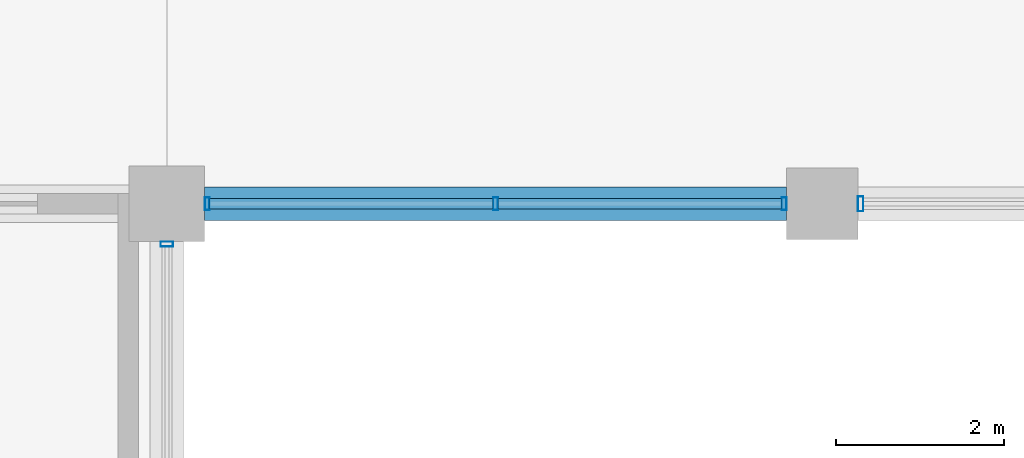
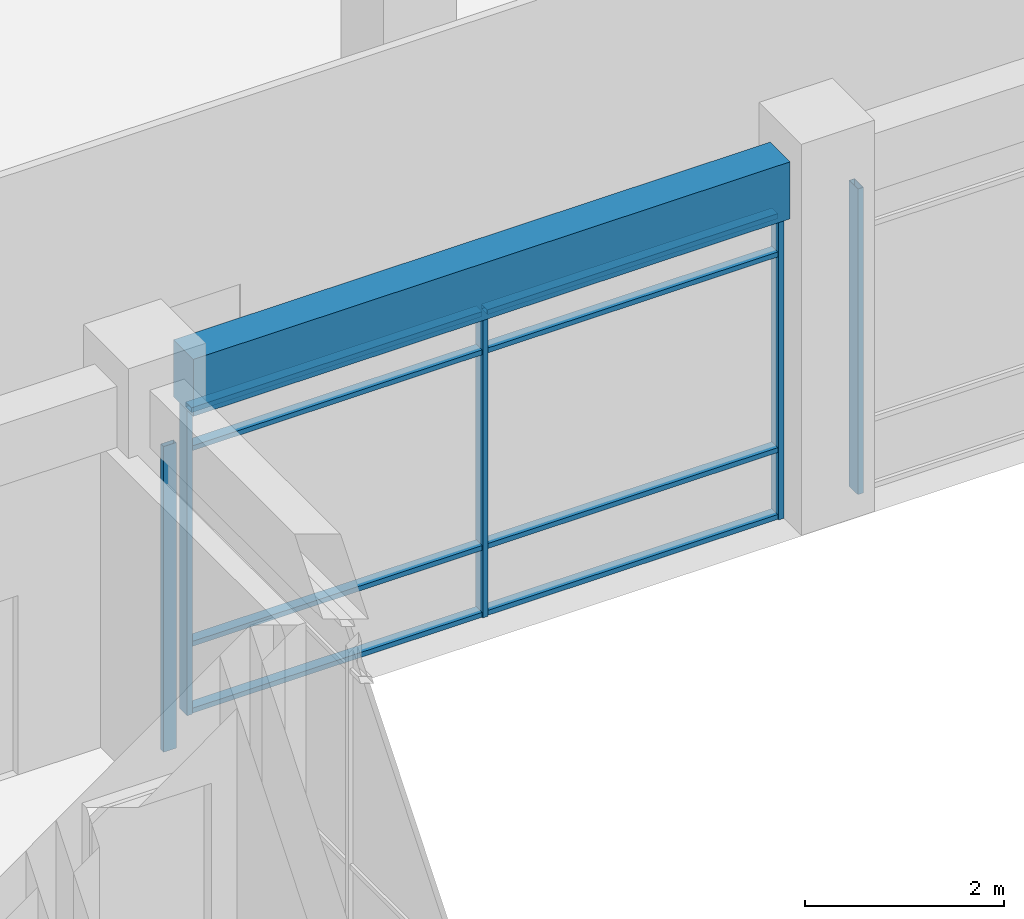
# One storey, part 10 of 79: 13 members, 1 beam, 3 elements without a shape of their own.
"""IFC4 building model written with IfcOpenShell, lengths in metres."""

from ifc_helpers import new_model, si_unit, direction, frame, origin, origin_2d, place, context, subcontext, project, spatial, rectangle, hollow_rectangle, extrude, material, material_profile, profile_set, type_object, element, aggregate, save


model = new_model("IFC4")

# Units and contexts
model_context = context("Model", 3, precision=1e-05, world=origin(), true_north=direction((0.0, 1.0)))
body_context = subcontext(model_context, "Body", "Model", "MODEL_VIEW")
ifc_project = project(units=[si_unit("LENGTHUNIT", "METRE"), si_unit("AREAUNIT", "SQUARE_METRE"), si_unit("VOLUMEUNIT", "CUBIC_METRE"), si_unit("PLANEANGLEUNIT", "RADIAN"), si_unit("MASSUNIT", "GRAM", prefix="KILO"), si_unit("THERMODYNAMICTEMPERATUREUNIT", "KELVIN"), si_unit("POWERUNIT", "WATT")], contexts=[model_context])

# Site, building, storey
site_placement = place(None, origin())
site = spatial("IfcSite", under=ifc_project, at=site_placement, CompositionType="ELEMENT")
building_placement = place(site_placement, origin())
building = spatial("IfcBuilding", under=site, at=building_placement, Name="Srebrne Nadtorze General Hospital", CompositionType="ELEMENT")
storey_placement = place(building_placement, frame((0.0, 0.0, 4.800048828125)))
storey = spatial("IfcBuildingStorey", under=building, at=storey_placement, Name="L01", CompositionType="ELEMENT", Elevation=4.800048828125)

# Curtain wall, members
ifc_material_1 = material(Name="Anodised Aluminium", Category="aluminium")
curtain_wall_type_1 = type_object("IfcCurtainWallType", Name="Unitised curtain wall 6925x3750", PredefinedType="NOTDEFINED", material=ifc_material_1)
curtain_wall_1_placement = place(storey_placement, origin())
curtain_wall_1 = element("IfcCurtainWall", 1, at=curtain_wall_1_placement, inside=storey, type_object=curtain_wall_type_1, Name="Curtain wall CW-050", PredefinedType="NOTDEFINED")
ifc_material_2 = material(Name="Anodised Aluminium", Category="aluminium")
ifc_material_profile_1 = material_profile(ifc_material_2, hollow_rectangle(XDim=0.06005859375, YDim=0.14990234375, WallThickness=0.00390625, at=origin_2d()), Name="AL-MUL-60x150")
ifc_profile_set_1 = profile_set([ifc_material_profile_1], Name="Anodised Aluminium")
member_type_1 = type_object("IfcMemberType", Name="Curtain mullion 60x150", PredefinedType="MULLION", material=ifc_profile_set_1)
member_1_placement = place(storey_placement, frame((55.080078125, 50.39990234375, 0.0), z_axis=(0.0, 0.0, 1.0), x_axis=(1.0, 0.0, 0.0)))
member_1 = element("IfcMember", 2, at=member_1_placement, type_object=member_type_1, Name="CW-050 mullion 1", PredefinedType="MULLION", context=body_context, shape_type="SweptSolid", body=[
    extrude(hollow_rectangle(XDim=0.06005859375, YDim=0.14990234375, WallThickness=0.00390625, at=origin_2d()), origin(), (0.0, 0.0, 1.0), 3.75),
])
member_2_placement = place(storey_placement, frame((58.512451171875, 50.39990234375, 0.0), z_axis=(0.0, 0.0, 1.0), x_axis=(1.0, 0.0, 0.0)))
member_2 = element("IfcMember", 3, at=member_2_placement, type_object=member_type_1, Name="CW-050 mullion 2", PredefinedType="MULLION", context=body_context, shape_type="SweptSolid", body=[
    extrude(hollow_rectangle(XDim=0.06005859375, YDim=0.14990234375, WallThickness=0.00390625, at=origin_2d()), origin(), (0.0, 0.0, 1.0), 3.75),
])
member_3_placement = place(storey_placement, frame((61.945068359375, 50.39990234375, 0.0), z_axis=(0.0, 0.0, 1.0), x_axis=(1.0, 0.0, 0.0)))
member_3 = element("IfcMember", 4, at=member_3_placement, type_object=member_type_1, Name="CW-050 mullion 3", PredefinedType="MULLION", context=body_context, shape_type="SweptSolid", body=[
    extrude(hollow_rectangle(XDim=0.06005859375, YDim=0.14990234375, WallThickness=0.00390625, at=origin_2d()), origin(), (0.0, 0.0, 1.0), 3.75),
])

# Curtain wall, member
ifc_material_3 = material(Name="Anodised Aluminium", Category="aluminium")
curtain_wall_type_2 = type_object("IfcCurtainWallType", Name="Unitised curtain wall 7500x3750", PredefinedType="NOTDEFINED", material=ifc_material_3)
curtain_wall_2_placement = place(storey_placement, origin())
curtain_wall_2 = element("IfcCurtainWall", 5, at=curtain_wall_2_placement, inside=storey, type_object=curtain_wall_type_2, Name="Curtain wall CW-058", PredefinedType="NOTDEFINED")
member_4_placement = place(storey_placement, frame((54.60009765625, 49.919921875, 0.0), z_axis=(0.0, 0.0, 1.0), x_axis=(0.0, 1.0, 0.0)))
member_4 = element("IfcMember", 6, at=member_4_placement, type_object=member_type_1, Name="CW-058 mullion 3", PredefinedType="MULLION", context=body_context, shape_type="SweptSolid", body=[
    extrude(hollow_rectangle(XDim=0.06005859375, YDim=0.14990234375, WallThickness=0.00390625, at=origin_2d()), origin(), (0.0, 0.0, 1.0), 3.75),
])
aggregate(curtain_wall_2, [member_4])

ifc_material_4 = material(Name="Anodised Aluminium", Category="aluminium")
curtain_wall_type_3 = type_object("IfcCurtainWallType", Name="Unitised curtain wall 6950x3750", PredefinedType="NOTDEFINED", material=ifc_material_4)
curtain_wall_3_placement = place(storey_placement, origin())
curtain_wall_3 = element("IfcCurtainWall", 7, at=curtain_wall_3_placement, inside=storey, type_object=curtain_wall_type_3, Name="Curtain wall CW-051", PredefinedType="NOTDEFINED")
ifc_material_5 = material(Name="Anodised Aluminium", Category="aluminium")
ifc_material_profile_2 = material_profile(ifc_material_5, hollow_rectangle(XDim=0.06494140625, YDim=0.179931640625, WallThickness=0.00390625, at=origin_2d()), Name="AL-MUL-65x180")
ifc_profile_set_2 = profile_set([ifc_material_profile_2], Name="Anodised Aluminium")
member_type_2 = type_object("IfcMemberType", Name="Curtain mullion 65x180", PredefinedType="MULLION", material=ifc_profile_set_2)
member_5_placement = place(storey_placement, frame((62.857421875, 50.39990234375, 0.0), z_axis=(0.0, 0.0, 1.0), x_axis=(1.0, 0.0, 0.0)))
member_5 = element("IfcMember", 8, at=member_5_placement, type_object=member_type_2, Name="CW-051 mullion 1", PredefinedType="MULLION", context=body_context, shape_type="SweptSolid", body=[
    extrude(hollow_rectangle(XDim=0.06494140625, YDim=0.179931640625, WallThickness=0.00390625, at=origin_2d()), origin(), (0.0, 0.0, 1.0), 3.75),
])
aggregate(curtain_wall_3, [member_5])

# Member
ifc_material_6 = material(Name="Anodised Aluminium", Category="aluminium")
ifc_material_profile_3 = material_profile(ifc_material_6, hollow_rectangle(XDim=0.06005859375, YDim=0.1201171875, WallThickness=0.00390625, at=origin_2d()), Name="AL-TRN-60x120")
ifc_profile_set_3 = profile_set([ifc_material_profile_3], Name="Anodised Aluminium")
member_type_3 = type_object("IfcMemberType", Name="Curtain transom 60x120", PredefinedType="USERDEFINED", material=ifc_profile_set_3)
member_6_placement = place(storey_placement, frame((55.110107421875, 50.39990234375, 0.030029296875), z_axis=(1.0, 0.0, 0.0), x_axis=(0.0, 0.0, 1.0)))
member_6 = element("IfcMember", 9, at=member_6_placement, type_object=member_type_3, Name="CW-050 transom 1.1", ObjectType="TRANSOM", PredefinedType="USERDEFINED", context=body_context, shape_type="SweptSolid", body=[
    extrude(hollow_rectangle(XDim=0.06005859375, YDim=0.1201171875, WallThickness=0.00390625, at=origin_2d()), origin(), (0.0, 0.0, 1.0), 3.372314453125),
])

member_7_placement = place(storey_placement, frame((55.110107421875, 50.39990234375, 0.849853515625), z_axis=(1.0, 0.0, 0.0), x_axis=(0.0, 0.0, 1.0)))
member_7 = element("IfcMember", 10, at=member_7_placement, type_object=member_type_3, Name="CW-050 transom 1.2", ObjectType="TRANSOM", PredefinedType="USERDEFINED", context=body_context, shape_type="SweptSolid", body=[
    extrude(hollow_rectangle(XDim=0.06005859375, YDim=0.1201171875, WallThickness=0.00390625, at=origin_2d()), origin(), (0.0, 0.0, 1.0), 3.372314453125),
])

member_8_placement = place(storey_placement, frame((55.110107421875, 50.39990234375, 3.25), z_axis=(1.0, 0.0, 0.0), x_axis=(0.0, 0.0, 1.0)))
member_8 = element("IfcMember", 11, at=member_8_placement, type_object=member_type_3, Name="CW-050 transom 1.3", ObjectType="TRANSOM", PredefinedType="USERDEFINED", context=body_context, shape_type="SweptSolid", body=[
    extrude(hollow_rectangle(XDim=0.06005859375, YDim=0.1201171875, WallThickness=0.00390625, at=origin_2d()), origin(), (0.0, 0.0, 1.0), 3.372314453125),
])

member_9_placement = place(storey_placement, frame((55.110107421875, 50.39990234375, 3.719970703125), z_axis=(1.0, 0.0, 0.0), x_axis=(0.0, 0.0, 1.0)))
member_9 = element("IfcMember", 12, at=member_9_placement, type_object=member_type_3, Name="CW-050 transom 1.4", ObjectType="TRANSOM", PredefinedType="USERDEFINED", context=body_context, shape_type="SweptSolid", body=[
    extrude(hollow_rectangle(XDim=0.06005859375, YDim=0.1201171875, WallThickness=0.00390625, at=origin_2d()), origin(), (0.0, 0.0, 1.0), 3.372314453125),
])

member_10_placement = place(storey_placement, frame((58.54248046875, 50.39990234375, 0.030029296875), z_axis=(1.0, 0.0, 0.0), x_axis=(0.0, 0.0, 1.0)))
member_10 = element("IfcMember", 13, at=member_10_placement, type_object=member_type_3, Name="CW-050 transom 2.1", ObjectType="TRANSOM", PredefinedType="USERDEFINED", context=body_context, shape_type="SweptSolid", body=[
    extrude(hollow_rectangle(XDim=0.06005859375, YDim=0.1201171875, WallThickness=0.00390625, at=origin_2d()), origin(), (0.0, 0.0, 1.0), 3.37255859375),
])

member_11_placement = place(storey_placement, frame((58.54248046875, 50.39990234375, 0.849853515625), z_axis=(1.0, 0.0, 0.0), x_axis=(0.0, 0.0, 1.0)))
member_11 = element("IfcMember", 14, at=member_11_placement, type_object=member_type_3, Name="CW-050 transom 2.2", ObjectType="TRANSOM", PredefinedType="USERDEFINED", context=body_context, shape_type="SweptSolid", body=[
    extrude(hollow_rectangle(XDim=0.06005859375, YDim=0.1201171875, WallThickness=0.00390625, at=origin_2d()), origin(), (0.0, 0.0, 1.0), 3.37255859375),
])

member_12_placement = place(storey_placement, frame((58.54248046875, 50.39990234375, 3.25), z_axis=(1.0, 0.0, 0.0), x_axis=(0.0, 0.0, 1.0)))
member_12 = element("IfcMember", 15, at=member_12_placement, type_object=member_type_3, Name="CW-050 transom 2.3", ObjectType="TRANSOM", PredefinedType="USERDEFINED", context=body_context, shape_type="SweptSolid", body=[
    extrude(hollow_rectangle(XDim=0.06005859375, YDim=0.1201171875, WallThickness=0.00390625, at=origin_2d()), origin(), (0.0, 0.0, 1.0), 3.37255859375),
])

member_13_placement = place(storey_placement, frame((58.54248046875, 50.39990234375, 3.719970703125), z_axis=(1.0, 0.0, 0.0), x_axis=(0.0, 0.0, 1.0)))
member_13 = element("IfcMember", 16, at=member_13_placement, type_object=member_type_3, Name="CW-050 transom 2.4", ObjectType="TRANSOM", PredefinedType="USERDEFINED", context=body_context, shape_type="SweptSolid", body=[
    extrude(hollow_rectangle(XDim=0.06005859375, YDim=0.1201171875, WallThickness=0.00390625, at=origin_2d()), origin(), (0.0, 0.0, 1.0), 3.37255859375),
])

aggregate(curtain_wall_1, [member_1, member_2, member_3, member_6, member_7, member_8, member_9, member_10, member_11, member_12, member_13])

# Beam
ifc_material_7 = material(Name="Concrete C40/50", Category="concrete")
ifc_material_profile_4 = material_profile(ifc_material_7, rectangle(XDim=0.39990234375, YDim=0.699951171875, at=origin_2d()), Name="RC-BM-400x700")
ifc_profile_set_4 = profile_set([ifc_material_profile_4], Name="Concrete C40/50")
beam_type = type_object("IfcBeamType", Name="Edge beam RC 400x700", PredefinedType="BEAM", material=ifc_profile_set_4)
beam_placement = place(storey_placement, frame((55.050048828125, 50.39990234375, 4.099853515625), z_axis=(1.0, 0.0, 0.0), x_axis=(0.0, 1.0, 0.0)))
element("IfcBeam", 17, at=beam_placement, inside=storey, type_object=beam_type, Name="Beam BM-L01-X-0412", PredefinedType="BEAM", context=body_context, shape_type="SweptSolid", body=[
    extrude(rectangle(XDim=0.39990234375, YDim=0.699951171875, at=origin_2d()), origin(), (0.0, 0.0, 1.0), 6.925048828125),
])

save(model, "model.ifc")
